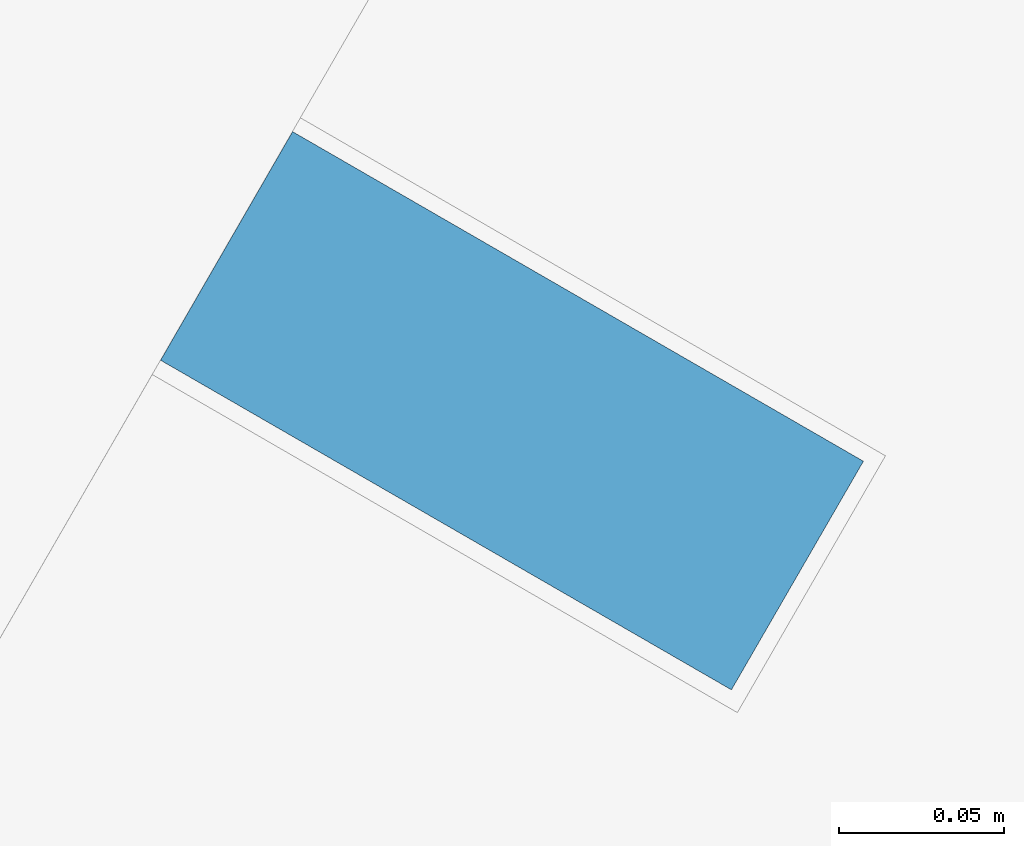
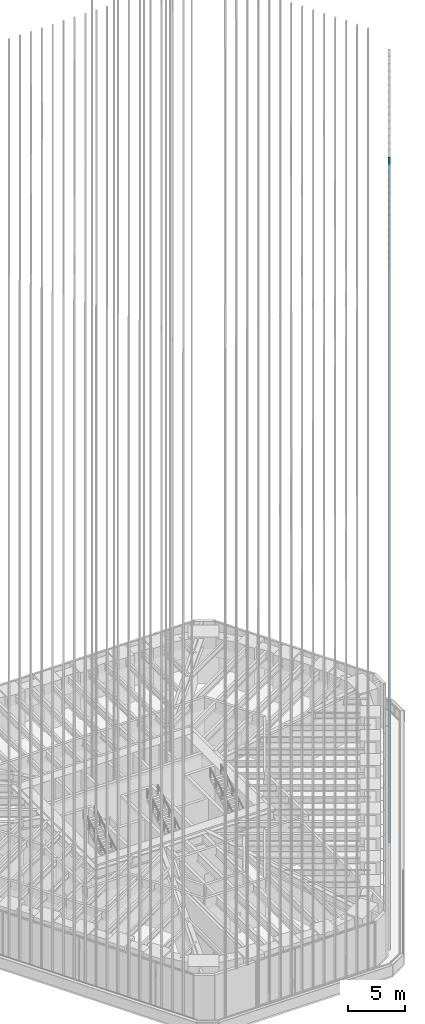
# One storey, part 102 of 228: 1 member, 1 element without a shape of its own.
"""IFC4 building model written with IfcOpenShell, lengths in metres."""

from ifc_helpers import new_model, si_unit, direction, frame, origin, origin_2d, place, context, subcontext, project, spatial, rectangle, extrude, material, material_profile, profile_set, type_object, element, aggregate, save


model = new_model("IFC4")

# Units and contexts
model_context = context("Model", 3, precision=1e-05, world=origin(), true_north=direction((0.0, 1.0)))
body_context = subcontext(model_context, "Body", "Model", "MODEL_VIEW")
ifc_project = project(units=[si_unit("LENGTHUNIT", "METRE"), si_unit("AREAUNIT", "SQUARE_METRE"), si_unit("VOLUMEUNIT", "CUBIC_METRE"), si_unit("PLANEANGLEUNIT", "RADIAN"), si_unit("MASSUNIT", "GRAM", prefix="KILO")], contexts=[model_context])

# Site, building, storey
site_placement = place(None, origin())
site = spatial("IfcSite", under=ifc_project, at=site_placement, CompositionType="ELEMENT")
building_placement = place(site_placement, origin())
building = spatial("IfcBuilding", under=site, at=building_placement, Name="Sandreach Pilgrim Tower", CompositionType="ELEMENT")
storey_placement = place(building_placement, frame((0.0, 0.0, 178.199951171875)))
storey = spatial("IfcBuildingStorey", under=building, at=storey_placement, Name="L44", CompositionType="ELEMENT", Elevation=178.199951171875)

# Curtain wall, member
ifc_material_1 = material(Name="Aluminium framed curtain wall", Category="aluminium")
curtain_wall_type = type_object("IfcCurtainWallType", Name="Upper hotel tower curtain wall", PredefinedType="NOTDEFINED", material=ifc_material_1)
curtain_wall_placement = place(storey_placement, origin())
curtain_wall = element("IfcCurtainWall", 1, at=curtain_wall_placement, inside=storey, type_object=curtain_wall_type, Name="CW-3 L44 SE", PredefinedType="NOTDEFINED")
ifc_material_2 = material(Name="Extruded terracotta on aluminium core", Category="masonry")
ifc_material_profile = material_profile(ifc_material_2, rectangle(XDim=0.080078125, YDim=0.199951171875, at=origin_2d()), Name="TBE 80X200")
ifc_profile_set = profile_set([ifc_material_profile], Name="Extruded terracotta on aluminium core")
member_type = type_object("IfcMemberType", Name="Terracotta baguette east", PredefinedType="USERDEFINED", material=ifc_profile_set)
member_placement = place(storey_placement, frame((18.671630859375, -10.780029296875, 0.0), z_axis=(0.0, 0.0, 1.0), x_axis=(-0.5, -0.866025403784, 0.0)))
member = element("IfcMember", 2, at=member_placement, type_object=member_type, Name="Baguette Z3 SE16", ObjectType="BAGUETTE", PredefinedType="USERDEFINED", context=body_context, shape_type="SweptSolid", body=[
    extrude(rectangle(XDim=0.080078125, YDim=0.199951171875, at=origin_2d()), origin(), (0.0, 0.0, 1.0), 73.239990234375),
])
aggregate(curtain_wall, [member])

save(model, "model.ifc")
